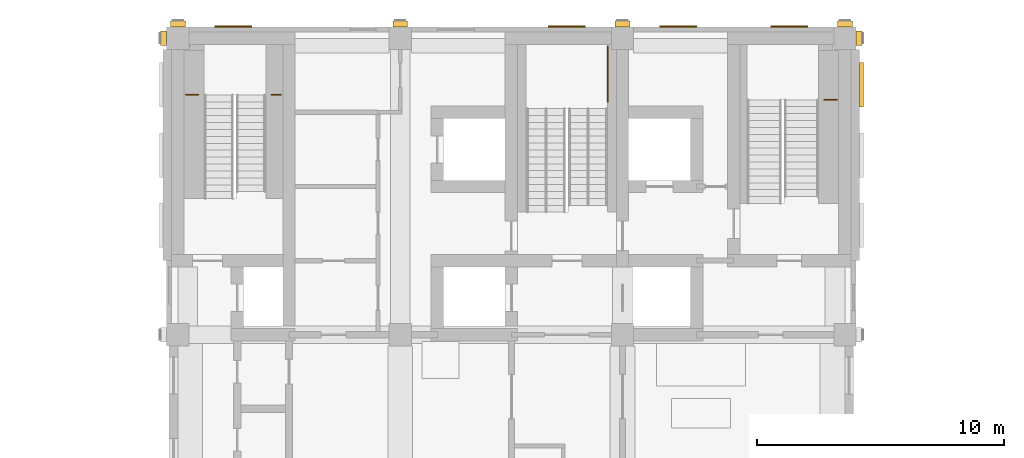
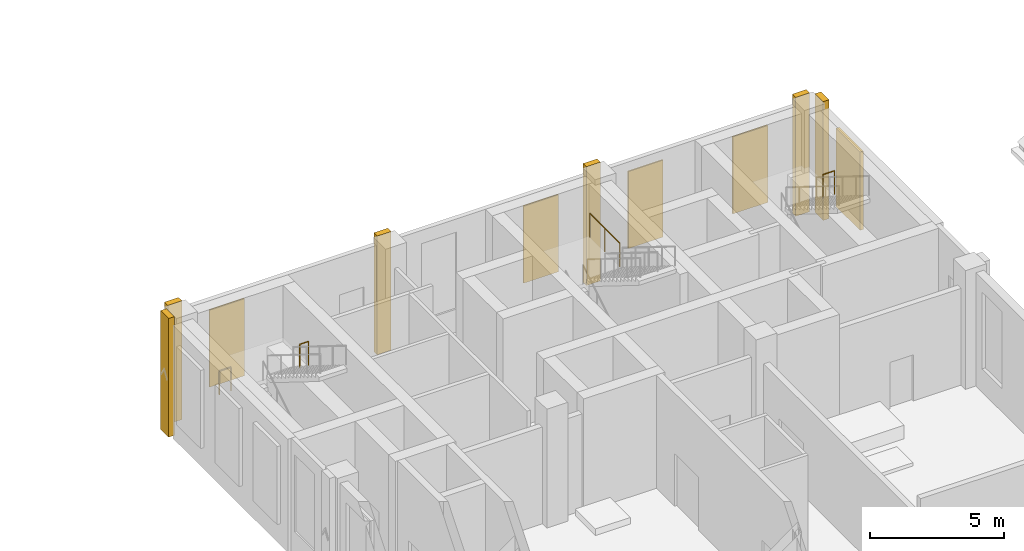
# One storey, part 23 of 25: 11 coverings, 4 railings.
"""IFC4 building model written with IfcOpenShell, lengths in metres."""

from ifc_helpers import new_model, si_unit, direction, frame, origin, origin_2d, place, context, subcontext, project, spatial, rectangle, circle, extrude, material, layer, layer_set, type_object, element, save


model = new_model("IFC4")

# Units and contexts
model_context = context("Model", 3, precision=1e-05, world=origin(), true_north=direction((0.0, 1.0)))
body_context = subcontext(model_context, "Body", "Model", "MODEL_VIEW")
ifc_project = project(units=[si_unit("LENGTHUNIT", "METRE"), si_unit("AREAUNIT", "SQUARE_METRE"), si_unit("VOLUMEUNIT", "CUBIC_METRE"), si_unit("PLANEANGLEUNIT", "RADIAN"), si_unit("MASSUNIT", "GRAM", prefix="KILO")], contexts=[model_context])

# Site, building, storey
site_placement = place(None, origin())
site = spatial("IfcSite", under=ifc_project, at=site_placement, CompositionType="ELEMENT")
building_placement = place(site_placement, origin())
building = spatial("IfcBuilding", under=site, at=building_placement, Name="Aurelan Courthouse", CompositionType="ELEMENT")
storey_placement = place(building_placement, frame((0.0, 0.0, 33.60009765625)))
storey = spatial("IfcBuildingStorey", under=building, at=storey_placement, Name="L06", CompositionType="ELEMENT", Elevation=33.60009765625)

# Coverings
ifc_material_1 = material(Name="Bronze sheet cladding")
ifc_layer_1 = layer(ifc_material_1, 0.06005859375)
ifc_layer_set_1 = layer_set([ifc_layer_1], Name="Bronze sheet cladding")
covering_type_1 = type_object("IfcCoveringType", Name="Courtroom Block blind bay 1500 x 3500", PredefinedType="CLADDING", material=ifc_layer_set_1)
for number, where, z_axis, x_axis, name in (
    (1, (38.25, 66.47998046875, 1.0498046875), (0.0, 0.0, 1.0), (1.0, 0.0, 0.0), "Blind bay BB-V2-L06-001"),
    (2, (51.75, 66.47998046875, 1.0498046875), (0.0, 0.0, 1.0), (1.0, 0.0, 0.0), "Blind bay BB-V2-L06-002"),
    (3, (56.25, 66.47998046875, 1.0498046875), (0.0, 0.0, 1.0), (1.0, 0.0, 0.0), "Blind bay BB-V2-L06-003"),
    (4, (60.75, 66.47998046875, 1.0498046875), (0.0, 0.0, 1.0), (1.0, 0.0, 0.0), "Blind bay BB-V2-L06-004"),
):
    element("IfcCovering", number, at=place(storey_placement, frame(where, z_axis=z_axis, x_axis=x_axis)), inside=storey, type_object=covering_type_1, Name=name, PredefinedType="CLADDING", context=body_context, shape_type="SweptSolid", body=[
        extrude(rectangle(XDim=1.5, YDim=0.06005859375, at=origin_2d()), origin(), (0.0, 0.0, 1.0), 3.5),
    ])
ifc_material_2 = material(Name="Limestone cladding", Category="masonry")
covering_type_2 = type_object("IfcCoveringType", Name="Courtroom Block pilaster fin 600 x 250", PredefinedType="CLADDING", material=ifc_material_2)
for number, where, z_axis, x_axis, name in (
    (5, (36.0, 66.574951171875, 0.0), (0.0, 0.0, 1.0), (1.0, 0.0, 0.0), "Pilaster fin FN-V2-058"),
    (6, (45.0, 66.574951171875, 0.0), (0.0, 0.0, 1.0), (1.0, 0.0, 0.0), "Pilaster fin FN-V2-059"),
    (7, (54.0, 66.574951171875, 0.0), (0.0, 0.0, 1.0), (1.0, 0.0, 0.0), "Pilaster fin FN-V2-060"),
    (8, (63.0, 66.574951171875, 0.0), (0.0, 0.0, 1.0), (1.0, 0.0, 0.0), "Pilaster fin FN-V2-061"),
):
    element("IfcCovering", number, at=place(storey_placement, frame(where, z_axis=z_axis, x_axis=x_axis)), inside=storey, type_object=covering_type_2, Name=name, PredefinedType="CLADDING", context=body_context, shape_type="SweptSolid", body=[
        extrude(rectangle(XDim=0.60009765625, YDim=0.25, at=origin_2d()), origin(), (0.0, 0.0, 1.0), 5.39990234375),
    ])
for number, where, z_axis, x_axis, name in (
    (9, (63.574951171875, 66.0, 0.0), (0.0, 0.0, 1.0), (1.0, 0.0, 0.0), "Pilaster fin FN-V2-064"),
    (10, (35.425048828125, 66.0, 0.0), (0.0, 0.0, 1.0), (1.0, 0.0, 0.0), "Pilaster fin FN-V2-067"),
):
    element("IfcCovering", number, at=place(storey_placement, frame(where, z_axis=z_axis, x_axis=x_axis)), inside=storey, type_object=covering_type_2, Name=name, PredefinedType="CLADDING", context=body_context, shape_type="SweptSolid", body=[
        extrude(rectangle(XDim=0.25, YDim=0.60009765625, at=origin_2d()), origin(), (0.0, 0.0, 1.0), 5.39990234375),
    ])
ifc_layer_2 = layer(ifc_material_1, 0.14990234375)
ifc_layer_set_2 = layer_set([ifc_layer_2], Name="Bronze sheet cladding")
covering_type_3 = type_object("IfcCoveringType", Name="Relief panel 1800 x 3550 x 150", PredefinedType="CLADDING", material=ifc_layer_set_2)
covering_placement = place(storey_placement, frame((63.675048828125, 64.125, 1.0), z_axis=(0.0, 0.0, 1.0), x_axis=(1.0, 0.0, 0.0)))
element("IfcCovering", 11, at=covering_placement, inside=storey, type_object=covering_type_3, Name="Relief panel RP-V2-042", PredefinedType="CLADDING", context=body_context, shape_type="SweptSolid", body=[
    extrude(rectangle(XDim=0.14990234375, YDim=1.800048828125, at=origin_2d()), origin(), (0.0, 0.0, 1.0), 3.550048828125),
])

# Railings
ifc_material_3 = material(Name="Steel S355", Category="steel")
railing_type = type_object("IfcRailingType", Name="Stair guard 1100", PredefinedType="GUARDRAIL", material=ifc_material_3)
railing_1_placement = place(storey_placement, frame((36.830078125, 63.7099609375, 2.787109375)))
element("IfcRailing", 12, at=railing_1_placement, inside=storey, type_object=railing_type, Name="Guard CS-2-L06-GL1", PredefinedType="GUARDRAIL", context=body_context, shape_type="SweptSolid", body=[
    extrude(circle(Radius=0.02392578125, at=origin_2d()), frame((0.0, 0.0, 1.076171875), z_axis=(-1.0, 0.0, 0.0), x_axis=(0.0, -1.0, 0.0)), (0.0, 0.0, 1.0), 0.5),
    extrude(circle(Radius=0.02099609375, at=origin_2d()), origin(), (0.0, 0.0, 1.0), 1.052001953125),
    extrude(circle(Radius=0.02099609375, at=origin_2d()), frame((-0.5, 0.0, 0.0)), (0.0, 0.0, 1.0), 1.052001953125),
])
railing_2_placement = place(storey_placement, frame((40.169921875, 63.7099609375, 2.787109375)))
element("IfcRailing", 13, at=railing_2_placement, inside=storey, type_object=railing_type, Name="Guard CS-2-L06-GL2", PredefinedType="GUARDRAIL", context=body_context, shape_type="SweptSolid", body=[
    extrude(circle(Radius=0.02392578125, at=origin_2d()), frame((0.0, 0.0, 1.076171875), z_axis=(-1.0, 0.0, 0.0), x_axis=(0.0, -1.0, 0.0)), (0.0, 0.0, 1.0), 0.3798828125),
    extrude(circle(Radius=0.02099609375, at=origin_2d()), origin(), (0.0, 0.0, 1.0), 1.052001953125),
    extrude(circle(Radius=0.02099609375, at=origin_2d()), frame((-0.3798828125, 0.0, 0.0)), (0.0, 0.0, 1.0), 1.052001953125),
])
railing_3_placement = place(storey_placement, frame((53.39990234375, 65.669921875, 2.787109375)))
element("IfcRailing", 14, at=railing_3_placement, inside=storey, type_object=railing_type, Name="Guard ST-2A-L06-GL1", PredefinedType="GUARDRAIL", context=body_context, shape_type="SweptSolid", body=[
    extrude(circle(Radius=0.02392578125, at=origin_2d()), frame((0.0, 0.0, 1.076171875), z_axis=(0.0, -1.0, 0.0), x_axis=(1.0, 0.0, 0.0)), (0.0, 0.0, 1.0), 2.234619140625),
    extrude(circle(Radius=0.02099609375, at=origin_2d()), origin(), (0.0, 0.0, 1.0), 1.052001953125),
    extrude(circle(Radius=0.02099609375, at=origin_2d()), frame((0.0, -1.1171875, 0.0)), (0.0, 0.0, 1.0), 1.052001953125),
    extrude(circle(Radius=0.02099609375, at=origin_2d()), frame((0.0, -2.234619140625, 0.0)), (0.0, 0.0, 1.0), 1.052001953125),
])
railing_4_placement = place(storey_placement, frame((62.669921875, 63.510009765625, 2.787109375)))
element("IfcRailing", 15, at=railing_4_placement, inside=storey, type_object=railing_type, Name="Guard ST-2E-L06-GL1", PredefinedType="GUARDRAIL", context=body_context, shape_type="SweptSolid", body=[
    extrude(circle(Radius=0.02392578125, at=origin_2d()), frame((0.0, 0.0, 1.076171875), z_axis=(-1.0, 0.0, 0.0), x_axis=(0.0, -1.0, 0.0)), (0.0, 0.0, 1.0), 0.5),
    extrude(circle(Radius=0.02099609375, at=origin_2d()), origin(), (0.0, 0.0, 1.0), 1.052001953125),
    extrude(circle(Radius=0.02099609375, at=origin_2d()), frame((-0.5, 0.0, 0.0)), (0.0, 0.0, 1.0), 1.052001953125),
])

save(model, "model.ifc")
